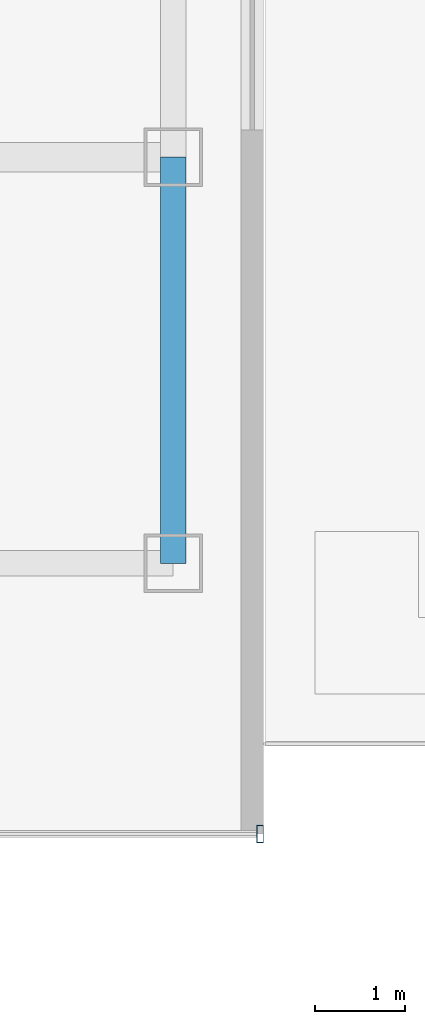
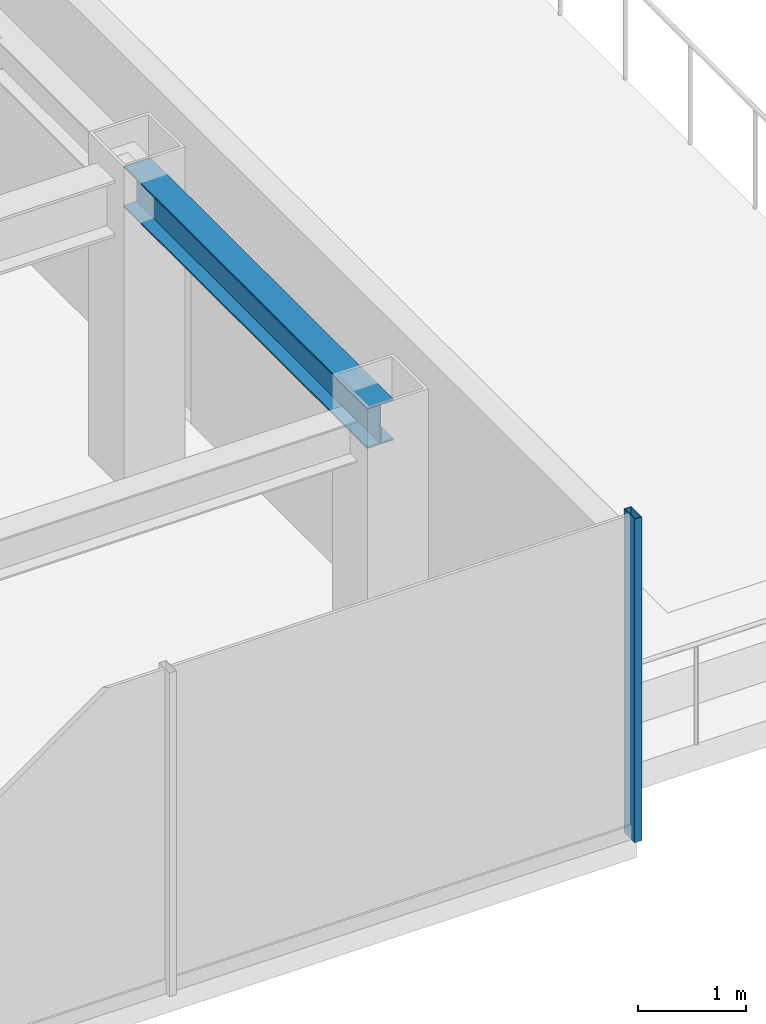
# One storey, part 11 of 23: 1 beam, 1 member, 1 element without a shape of its own.
"""IFC4 building model written with IfcOpenShell, lengths in metres."""

from ifc_helpers import new_model, si_unit, derived_unit, direction, frame, origin, origin_2d, place, context, subcontext, project, spatial, hollow_rectangle, i_section, extrude, source, transform, mapped, material, material_profile, profile_set, type_object, element, aggregate, save


model = new_model("IFC4")

# Units and contexts
model_context = context("Model", 3, precision=1e-05, world=origin(), true_north=direction((0.0, 1.0)))
body_context = subcontext(model_context, "Body", "Model", "MODEL_VIEW")
ifc_project = project(units=[si_unit("LENGTHUNIT", "METRE"), si_unit("AREAUNIT", "SQUARE_METRE"), si_unit("VOLUMEUNIT", "CUBIC_METRE"), si_unit("PLANEANGLEUNIT", "RADIAN"), si_unit("MASSUNIT", "GRAM", prefix="KILO"), derived_unit("THERMALTRANSMITTANCEUNIT", [(si_unit("POWERUNIT", "WATT"), 1), (si_unit("LENGTHUNIT", "METRE"), -2), (si_unit("THERMODYNAMICTEMPERATUREUNIT", "KELVIN"), -1)])], contexts=[model_context])

# Site, building, storey
site_placement = place(None, origin())
site = spatial("IfcSite", under=ifc_project, at=site_placement, CompositionType="ELEMENT")
building_placement = place(site_placement, origin())
building = spatial("IfcBuilding", under=site, at=building_placement, Name="Skarnbrae Concourse Arena and Tower", CompositionType="ELEMENT")
storey_placement = place(building_placement, frame((0.0, 0.0, 140.60009765625)))
storey = spatial("IfcBuildingStorey", under=building, at=storey_placement, Name="L35", CompositionType="ELEMENT", Elevation=140.60009765625)

# Beam
ifc_material_1 = material(Name="Steel CSA G40.21 350W", Category="steel")
ifc_material_profile_1 = material_profile(ifc_material_1, i_section(OverallWidth=0.280029296875, OverallDepth=0.462890625, WebThickness=0.0107421875, FlangeThickness=0.017333984375, at=origin_2d()), Name="W460X113")
ifc_profile_set_1 = profile_set([ifc_material_profile_1], Name="Steel CSA G40.21 350W")
beam_type = type_object("IfcBeamType", Name="BM-SPAN-W460X113", PredefinedType="SPANDREL", material=ifc_profile_set_1)
shared_shape_1 = source(origin(), body_context, "Body", "SweptSolid", [
    extrude(i_section(OverallWidth=0.280029296875, OverallDepth=0.462890625, WebThickness=0.0107421875, FlangeThickness=0.017333984375, at=origin_2d()), origin(), (0.0, 0.0, 1.0), 4.5),
])
beam_placement = place(storey_placement, frame((49.0, 9.5, 3.16845703125), z_axis=(0.0, 1.0, 0.0), x_axis=(-1.0, 0.0, 0.0)))
element("IfcBeam", 1, at=beam_placement, inside=storey, type_object=beam_type, Name="L35 Perimeter spandrel X49.0-1", PredefinedType="SPANDREL", context=body_context, shape_type="MappedRepresentation", body=[
    mapped(shared_shape_1, transform((0.0, 0.0, 0.0))),
])

# Curtain wall, member
ifc_material_2 = material(Name="Bronze anodised aluminium 6063-T6", Category="aluminium")
curtain_wall_type = type_object("IfcCurtainWallType", Name="CW-SYS-04-MIDZONE", PredefinedType="USERDEFINED", material=ifc_material_2)
curtain_wall_placement = place(storey_placement, origin())
curtain_wall = element("IfcCurtainWall", 2, at=curtain_wall_placement, inside=storey, type_object=curtain_wall_type, Name="L35 Unitised curtain wall CW-L35-E03", ObjectType="UNITISED CURTAIN WALL", PredefinedType="USERDEFINED")
ifc_material_profile_2 = material_profile(ifc_material_2, hollow_rectangle(XDim=0.074951171875, YDim=0.195068359375, WallThickness=0.00439453125, at=origin_2d()), Name="ALU-MULL-75X195")
ifc_profile_set_2 = profile_set([ifc_material_profile_2], Name="Bronze anodised aluminium 6063-T6")
member_type = type_object("IfcMemberType", Name="CWM-CW-04", PredefinedType="MULLION", material=ifc_profile_set_2)
shared_shape_2 = source(origin(), body_context, "Body", "SweptSolid", [
    extrude(hollow_rectangle(XDim=0.074951171875, YDim=0.195068359375, WallThickness=0.00439453125, at=origin_2d()), origin(), (0.0, 0.0, 1.0), 3.64990234375),
])
member_placement = place(storey_placement, frame((49.96240234375, 6.5, 0.0), z_axis=(0.0, 0.0, 1.0), x_axis=(1.0, 0.0, 0.0)))
member = element("IfcMember", 3, at=member_placement, type_object=member_type, Name="CW-L35-E03 Mullion 3", PredefinedType="MULLION", context=body_context, shape_type="MappedRepresentation", body=[
    mapped(shared_shape_2, transform((0.0, 0.0, 0.0))),
])
aggregate(curtain_wall, [member])

save(model, "model.ifc")
